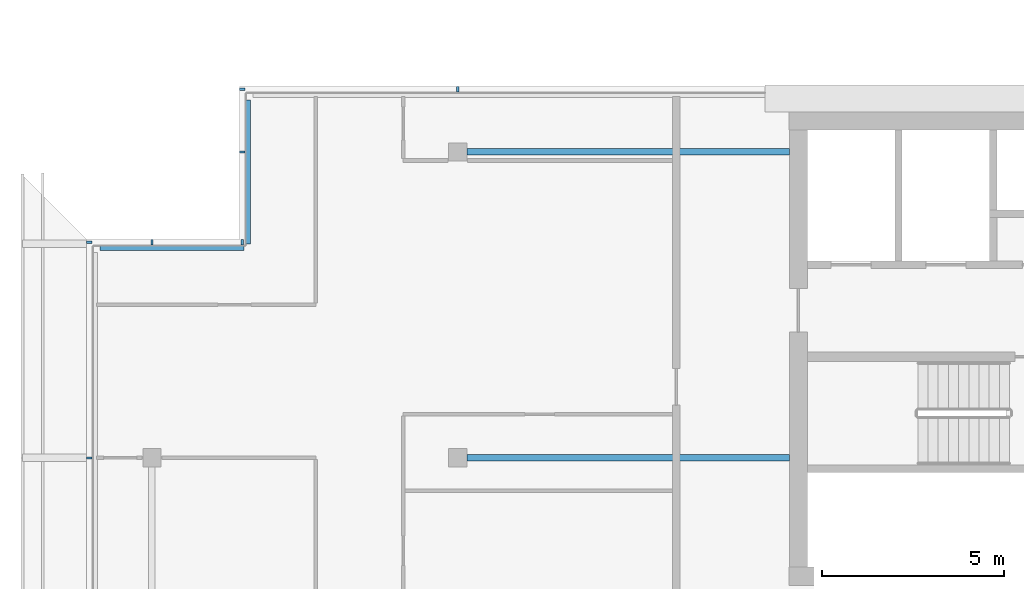
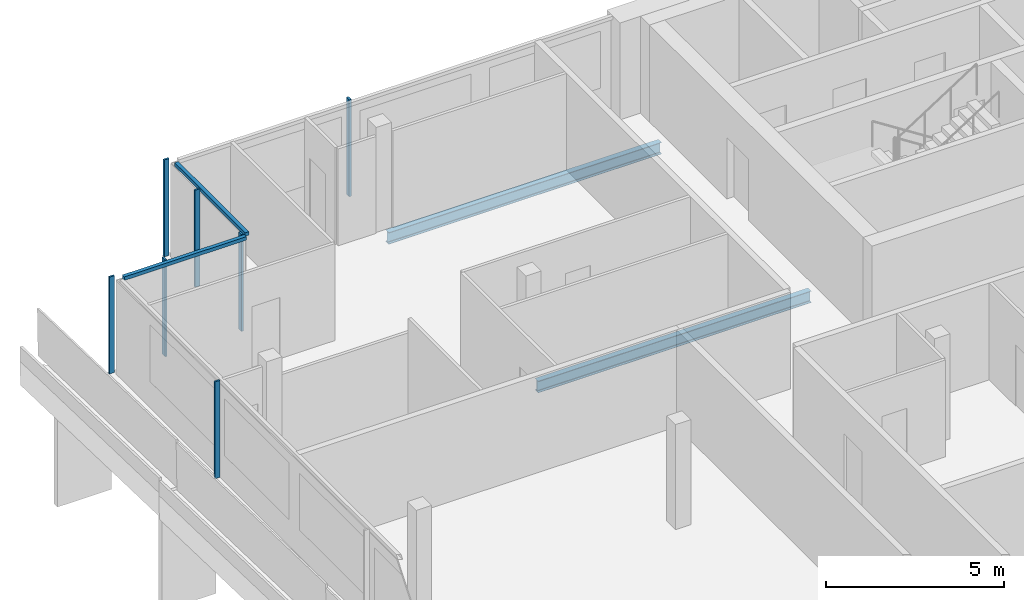
# One storey, part 7 of 27: 9 members, 2 beams, 4 elements without a shape of their own.
"""IFC4 building model written with IfcOpenShell, lengths in metres."""

from ifc_helpers import new_model, si_unit, direction, frame, origin, origin_2d, place, context, subcontext, project, spatial, rectangle, i_section, extrude, material, material_profile, profile_set, type_object, element, aggregate, save


model = new_model("IFC4")

# Units and contexts
model_context = context("Model", 3, precision=1e-05, world=origin(), true_north=direction((0.0, 1.0)))
body_context = subcontext(model_context, "Body", "Model", "MODEL_VIEW")
ifc_project = project(units=[si_unit("LENGTHUNIT", "METRE"), si_unit("AREAUNIT", "SQUARE_METRE"), si_unit("VOLUMEUNIT", "CUBIC_METRE"), si_unit("PLANEANGLEUNIT", "RADIAN"), si_unit("MASSUNIT", "GRAM", prefix="KILO")], contexts=[model_context])

# Site, building, storey
site_placement = place(None, origin())
site = spatial("IfcSite", under=ifc_project, at=site_placement, CompositionType="ELEMENT")
building_placement = place(site_placement, origin())
building = spatial("IfcBuilding", under=site, at=building_placement, Name="Saffron Gate Tower", CompositionType="ELEMENT")
storey_placement = place(building_placement, frame((0.0, 0.0, 267.14990234375)))
storey = spatial("IfcBuildingStorey", under=building, at=storey_placement, Name="L64", CompositionType="ELEMENT", Elevation=267.14990234375)

# Beams
ifc_material_1 = material(Name="Structural steel S355", Category="steel")
ifc_material_profile_1 = material_profile(ifc_material_1, i_section(OverallWidth=0.179931640625, OverallDepth=0.39990234375, WebThickness=0.008544921875, FlangeThickness=0.013427734375, FilletRadius=0.02099609375, at=origin_2d()))
ifc_profile_set_1 = profile_set([ifc_material_profile_1], Name="Structural steel S355")
beam_type = type_object("IfcBeamType", Name="B4 IPE 400", PredefinedType="BEAM", material=ifc_profile_set_1)
for number, where, z_axis, x_axis, name in (
    (1, (58.449951171875, 65.39990234375, -0.47998046875), (1.0, 0.0, 0.0), (0.0, 1.0, 0.0), "B4 CORE TIE BEAM"),
    (2, (58.449951171875, 73.800048828125, -0.47998046875), (1.0, 0.0, 0.0), (0.0, 1.0, 0.0), "B4 CORE TIE BEAM"),
):
    element("IfcBeam", number, at=place(storey_placement, frame(where, z_axis=z_axis, x_axis=x_axis)), inside=storey, type_object=beam_type, Name=name, PredefinedType="BEAM", context=body_context, shape_type="SweptSolid", body=[
        extrude(i_section(OverallWidth=0.179931640625, OverallDepth=0.39990234375, WebThickness=0.008544921875, FlangeThickness=0.013427734375, FilletRadius=0.02099609375, at=origin_2d()), origin(), (0.0, 0.0, 1.0), 8.85009765625),
    ])

# Curtain wall, members
ifc_material_2 = material(Name="Aluminium, bronze anodised", Category="aluminium")
curtain_wall_type_1 = type_object("IfcCurtainWallType", Name="CWS2 curtain wall side facades", PredefinedType="NOTDEFINED", material=ifc_material_2)
curtain_wall_1_placement = place(storey_placement, origin())
curtain_wall_1 = element("IfcCurtainWall", 3, at=curtain_wall_1_placement, inside=storey, type_object=curtain_wall_type_1, Name="CWS2 run 10", PredefinedType="NOTDEFINED")
ifc_material_profile_2 = material_profile(ifc_material_2, rectangle(XDim=0.159912109375, YDim=0.06005859375, at=origin_2d()))
ifc_profile_set_2 = profile_set([ifc_material_profile_2], Name="Aluminium, bronze anodised")
member_type_1 = type_object("IfcMemberType", Name="CWS2 mullion 60x160", PredefinedType="MULLION", material=ifc_profile_set_2)
member_1_placement = place(storey_placement, frame((48.080078125, 71.320068359375, 0.0), z_axis=(0.0, 0.0, 1.0), x_axis=(1.0, 0.0, 0.0)))
member_1 = element("IfcMember", 4, at=member_1_placement, type_object=member_type_1, Name="CWS2 mullion 1", PredefinedType="MULLION", context=body_context, shape_type="SweptSolid", body=[
    extrude(rectangle(XDim=0.159912109375, YDim=0.06005859375, at=origin_2d()), origin(), (0.0, 0.0, 1.0), 3.320068359375),
])
member_2_placement = place(storey_placement, frame((48.080078125, 65.39990234375, 0.0), z_axis=(0.0, 0.0, 1.0), x_axis=(1.0, 0.0, 0.0)))
member_2 = element("IfcMember", 5, at=member_2_placement, type_object=member_type_1, Name="CWS2 mullion 2", PredefinedType="MULLION", context=body_context, shape_type="SweptSolid", body=[
    extrude(rectangle(XDim=0.159912109375, YDim=0.06005859375, at=origin_2d()), origin(), (0.0, 0.0, 1.0), 3.320068359375),
])
aggregate(curtain_wall_1, [member_1, member_2])

# Curtain wall, member
curtain_wall_type_2 = type_object("IfcCurtainWallType", Name="CWS3 curtain wall rear facade", PredefinedType="NOTDEFINED", material=ifc_material_2)
curtain_wall_2_placement = place(storey_placement, origin())
curtain_wall_2 = element("IfcCurtainWall", 6, at=curtain_wall_2_placement, inside=storey, type_object=curtain_wall_type_2, Name="CWS3 run 7", PredefinedType="NOTDEFINED")
ifc_material_profile_3 = material_profile(ifc_material_2, rectangle(XDim=0.159912109375, YDim=0.070068359375, at=origin_2d()))
ifc_profile_set_3 = profile_set([ifc_material_profile_3], Name="Aluminium, bronze anodised")
member_type_2 = type_object("IfcMemberType", Name="CWS3 mullion 70x160", PredefinedType="MULLION", material=ifc_profile_set_3)
member_3_placement = place(storey_placement, frame((58.199951171875, 75.52001953125, 0.0), z_axis=(0.0, 0.0, 1.0), x_axis=(0.0, -1.0, 0.0)))
member_3 = element("IfcMember", 7, at=member_3_placement, type_object=member_type_2, Name="CWS3 mullion 9", PredefinedType="MULLION", context=body_context, shape_type="SweptSolid", body=[
    extrude(rectangle(XDim=0.159912109375, YDim=0.070068359375, at=origin_2d()), origin(), (0.0, 0.0, 1.0), 3.320068359375),
])
aggregate(curtain_wall_2, [member_3])

curtain_wall_type_3 = type_object("IfcCurtainWallType", Name="CWS4 curtain wall corner returns", PredefinedType="NOTDEFINED", material=ifc_material_2)
curtain_wall_3_placement = place(storey_placement, origin())
curtain_wall_3 = element("IfcCurtainWall", 8, at=curtain_wall_3_placement, inside=storey, type_object=curtain_wall_type_3, Name="CWS4 run 8", PredefinedType="NOTDEFINED")
ifc_material_profile_4 = material_profile(ifc_material_2, rectangle(XDim=0.1201171875, YDim=0.1201171875, at=origin_2d()))
ifc_profile_set_4 = profile_set([ifc_material_profile_4], Name="Aluminium, bronze anodised")
member_type_3 = type_object("IfcMemberType", Name="CWS4 head transom", PredefinedType="USERDEFINED", material=ifc_profile_set_4)
member_4_placement = place(storey_placement, frame((52.447998046875, 75.23193359375, 3.260009765625), z_axis=(0.0, -1.0, 0.0), x_axis=(1.0, 0.0, 0.0)))
member_4 = element("IfcMember", 9, at=member_4_placement, type_object=member_type_3, Name="CWS4 head transom", ObjectType="TRANSOM", PredefinedType="USERDEFINED", context=body_context, shape_type="SweptSolid", body=[
    extrude(rectangle(XDim=0.1201171875, YDim=0.1201171875, at=origin_2d()), origin(), (0.0, 0.0, 1.0), 3.9599609375),
])

curtain_wall_4_placement = place(storey_placement, origin())
curtain_wall_4 = element("IfcCurtainWall", 10, at=curtain_wall_4_placement, inside=storey, type_object=curtain_wall_type_3, Name="CWS4 run 9", PredefinedType="NOTDEFINED")
member_5_placement = place(storey_placement, frame((52.327880859375, 71.152099609375, 3.260009765625), z_axis=(-1.0, 0.0, 0.0), x_axis=(0.0, -1.0, 0.0)))
member_5 = element("IfcMember", 11, at=member_5_placement, type_object=member_type_3, Name="CWS4 head transom", ObjectType="TRANSOM", PredefinedType="USERDEFINED", context=body_context, shape_type="SweptSolid", body=[
    extrude(rectangle(XDim=0.1201171875, YDim=0.1201171875, at=origin_2d()), origin(), (0.0, 0.0, 1.0), 3.9599609375),
])

# Member
ifc_material_profile_5 = material_profile(ifc_material_2, rectangle(XDim=0.159912109375, YDim=0.06005859375, at=origin_2d()))
ifc_profile_set_5 = profile_set([ifc_material_profile_5], Name="Aluminium, bronze anodised")
member_type_4 = type_object("IfcMemberType", Name="CWS4 mullion 60x160", PredefinedType="MULLION", material=ifc_profile_set_5)
member_6_placement = place(storey_placement, frame((52.280029296875, 75.52001953125, 0.0), z_axis=(0.0, 0.0, 1.0), x_axis=(1.0, 0.0, 0.0)))
member_6 = element("IfcMember", 12, at=member_6_placement, type_object=member_type_4, Name="CWS4 mullion 1", PredefinedType="MULLION", context=body_context, shape_type="SweptSolid", body=[
    extrude(rectangle(XDim=0.159912109375, YDim=0.06005859375, at=origin_2d()), origin(), (0.0, 0.0, 1.0), 3.320068359375),
])

member_7_placement = place(storey_placement, frame((52.280029296875, 73.800048828125, 0.0), z_axis=(0.0, 0.0, 1.0), x_axis=(1.0, 0.0, 0.0)))
member_7 = element("IfcMember", 13, at=member_7_placement, type_object=member_type_4, Name="CWS4 mullion 2", PredefinedType="MULLION", context=body_context, shape_type="SweptSolid", body=[
    extrude(rectangle(XDim=0.159912109375, YDim=0.06005859375, at=origin_2d()), origin(), (0.0, 0.0, 1.0), 3.320068359375),
])

aggregate(curtain_wall_3, [member_6, member_7, member_4])

member_8_placement = place(storey_placement, frame((52.280029296875, 71.320068359375, 0.0), z_axis=(0.0, 0.0, 1.0), x_axis=(0.0, -1.0, 0.0)))
member_8 = element("IfcMember", 14, at=member_8_placement, type_object=member_type_4, Name="CWS4 mullion 1", PredefinedType="MULLION", context=body_context, shape_type="SweptSolid", body=[
    extrude(rectangle(XDim=0.159912109375, YDim=0.06005859375, at=origin_2d()), origin(), (0.0, 0.0, 1.0), 3.320068359375),
])

member_9_placement = place(storey_placement, frame((49.800048828125, 71.320068359375, 0.0), z_axis=(0.0, 0.0, 1.0), x_axis=(0.0, -1.0, 0.0)))
member_9 = element("IfcMember", 15, at=member_9_placement, type_object=member_type_4, Name="CWS4 mullion 2", PredefinedType="MULLION", context=body_context, shape_type="SweptSolid", body=[
    extrude(rectangle(XDim=0.159912109375, YDim=0.06005859375, at=origin_2d()), origin(), (0.0, 0.0, 1.0), 3.320068359375),
])

aggregate(curtain_wall_4, [member_8, member_9, member_5])

save(model, "model.ifc")
